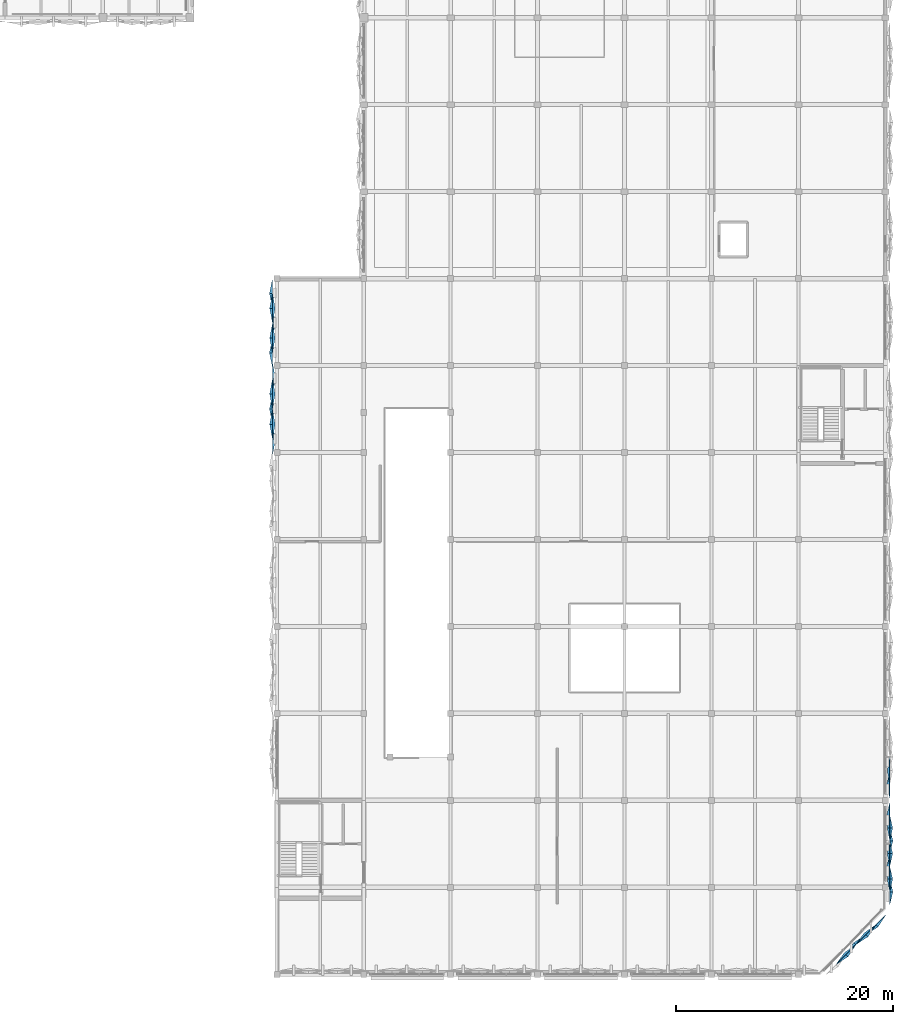
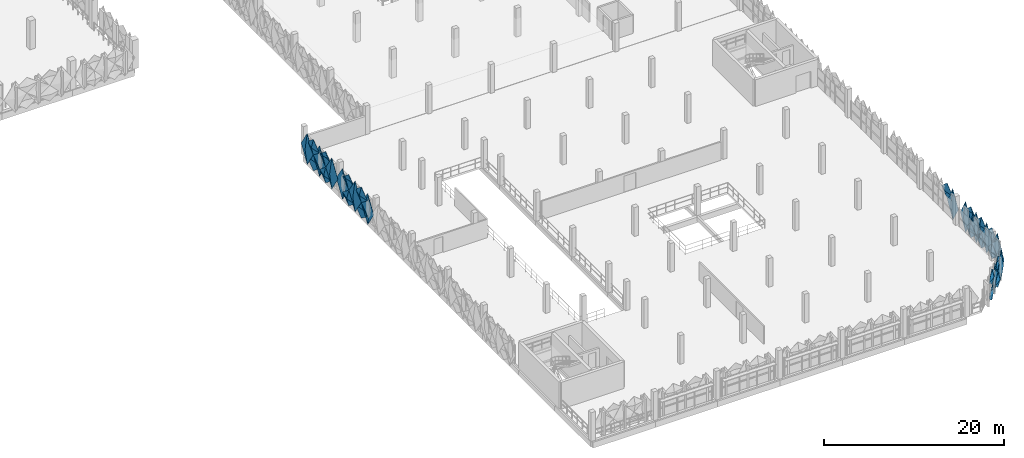
# One storey, part 60 of 83: 32 plates.
"""IFC4 building model written with IfcOpenShell, lengths in metres."""

import ifcopenshell
import ifcopenshell.guid

model = None  # the IFC model being written
_history = None  # IfcOwnerHistory: only IFC2X3 demands one
_inside = {}  # id of a spatial element -> (the spatial element, [elements in it])
_under = {}  # id of a project, library or spatial element -> (it, [spatial elements below it])
_declared = {}  # id of a project -> (the project, [libraries it declares])
_typed = {}  # id of a type object -> (the type object, [elements of that type])
_made_of = {}  # id of a material, layer set ... -> (it, [elements and type objects made of it])


def new_model(schema):
    """Start an empty IFC model of exactly this schema.

    Asked for "IFC4X3", IfcOpenShell would pick the latest addendum, in which some entities
    have other attributes; the version numbers below select the first issue.
    IFC2X3 requires an IfcOwnerHistory on every rooted entity: one is made here for all.
    """
    global model, _history
    if schema == "IFC4X3":
        model = ifcopenshell.file(schema_version=(4, 3, 0, 0))
    else:
        model = ifcopenshell.file(schema=schema)
    _inside.clear()
    _under.clear()
    _declared.clear()
    _typed.clear()
    _made_of.clear()
    _history = None
    if model.schema == "IFC2X3":
        org = make("IfcOrganization", Name="unknown")
        user = make(
            "IfcPersonAndOrganization",
            ThePerson=make("IfcPerson", FamilyName="unknown"),
            TheOrganization=org,
        )
        app = make(
            "IfcApplication",
            ApplicationDeveloper=org,
            Version="unknown",
            ApplicationFullName="unknown",
            ApplicationIdentifier="unknown",
        )
        _history = make(
            "IfcOwnerHistory",
            OwningUser=user,
            OwningApplication=app,
            ChangeAction="ADDED",
            CreationDate=0,
        )
    return model


def make(cls, **values):
    """One entity of the class cls with the attributes given. An attribute that is None is left unset."""
    return model.create_entity(
        cls, **{name: value for name, value in values.items() if value is not None}
    )


def rooted(cls, **values):
    """An entity with a GlobalId (a new one), such as an element, a storey or a relation."""
    return make(cls, GlobalId=ifcopenshell.guid.new(), OwnerHistory=_history, **values)


def si_unit(unit_type, name, prefix=None):
    """IfcSIUnit, for example si_unit("LENGTHUNIT", "METRE", prefix="MILLI")."""
    return make("IfcSIUnit", UnitType=unit_type, Prefix=prefix, Name=name)


def derived_unit(unit_type, elements):
    """IfcDerivedUnit: a product of units, each with its exponent."""
    return make(
        "IfcDerivedUnit",
        Elements=[
            make("IfcDerivedUnitElement", Unit=unit, Exponent=power)
            for unit, power in elements
        ],
        UnitType=unit_type,
    )


def assignment(units):
    """IfcUnitAssignment: the units of a project."""
    return None if units is None else make("IfcUnitAssignment", Units=units)


def point(xyz):
    """IfcCartesianPoint."""
    return None if xyz is None else make("IfcCartesianPoint", Coordinates=xyz)


def direction(xyz):
    """IfcDirection."""
    return None if xyz is None else make("IfcDirection", DirectionRatios=xyz)


def frame(location, z_axis=None, x_axis=None):
    """IfcAxis2Placement3D, a coordinate frame: its origin and axes. An axis left out is left unset."""
    return make(
        "IfcAxis2Placement3D",
        Location=point(location),
        Axis=direction(z_axis),
        RefDirection=direction(x_axis),
    )


def origin():
    """The frame at (0, 0, 0) with its axes left unset."""
    return frame((0.0, 0.0, 0.0))


def place(relative_to, where):
    """IfcLocalPlacement: puts the frame where relative to a parent placement (None: the world)."""
    return make(
        "IfcLocalPlacement", PlacementRelTo=relative_to, RelativePlacement=where
    )


def context(
    kind, dimensions, precision=None, world=None, true_north=None, identifier=None
):
    """IfcGeometricRepresentationContext, for example the 3D "Model" context."""
    return make(
        "IfcGeometricRepresentationContext",
        ContextIdentifier=identifier,
        ContextType=kind,
        CoordinateSpaceDimension=dimensions,
        Precision=precision,
        WorldCoordinateSystem=world,
        TrueNorth=true_north,
    )


def subcontext(parent, identifier, kind, view, scale=None):
    """IfcGeometricRepresentationSubContext, for example "Body" below "Model"."""
    return make(
        "IfcGeometricRepresentationSubContext",
        ContextIdentifier=identifier,
        ContextType=kind,
        ParentContext=parent,
        TargetScale=scale,
        TargetView=view,
    )


def project(units=None, contexts=None):
    """IfcProject with its units and contexts."""
    return rooted(
        "IfcProject",
        Name="project",
        RepresentationContexts=contexts,
        UnitsInContext=assignment(units),
    )


def spatial(cls, under=None, at=None, **own):
    """A site, building, storey or space (cls), placed at a placement, below another one or the project."""
    s = rooted(cls, ObjectPlacement=at, **own)
    if under is not None:
        _under.setdefault(under.id(), (under, []))[1].append(s)
    return s


def point_list(points):
    """IfcCartesianPointList2D or 3D."""
    cls = (
        "IfcCartesianPointList2D" if len(points[0]) == 2 else "IfcCartesianPointList3D"
    )
    return make(cls, CoordList=points)


def polygons(points, faces, closed=None, point_numbers=None):
    """IfcPolygonalFaceSet: a face is its outer loop, then its inner loops; points numbered from 1."""
    made = []
    for loops in faces:
        if len(loops) == 1:
            made.append(make("IfcIndexedPolygonalFace", CoordIndex=loops[0]))
        else:
            made.append(
                make(
                    "IfcIndexedPolygonalFaceWithVoids",
                    CoordIndex=loops[0],
                    InnerCoordIndices=loops[1:],
                )
            )
    return make(
        "IfcPolygonalFaceSet",
        Coordinates=point_list(points),
        Closed=closed,
        Faces=made,
        PnIndex=point_numbers,
    )


def shape(context_of_items, identifier, shape_type, items):
    """IfcShapeRepresentation: the items that make up one representation, for example the "Body"."""
    return make(
        "IfcShapeRepresentation",
        ContextOfItems=context_of_items,
        RepresentationIdentifier=identifier,
        RepresentationType=shape_type,
        Items=items,
    )


def material(Name=None, Category=None):
    """IfcMaterial."""
    return make("IfcMaterial", Name=Name, Category=Category)


def layer(
    of_material, thickness, ventilated=None, Name=None, Category=None, Priority=None
):
    """IfcMaterialLayer: one layer of a wall or slab, of a material (None: an air gap)."""
    return make(
        "IfcMaterialLayer",
        Material=of_material,
        LayerThickness=thickness,
        IsVentilated=ventilated,
        Name=Name,
        Category=Category,
        Priority=Priority,
    )


def layer_set(layers, Name=None):
    """IfcMaterialLayerSet."""
    return make("IfcMaterialLayerSet", MaterialLayers=layers, LayerSetName=Name)


def made_of(thing, what):
    """Note that an element or type object is made of a material, layer set ...; save() writes the relation."""
    if what is not None:
        _made_of.setdefault(what.id(), (what, []))[1].append(thing)
    return thing


def type_object(cls, material=None, **own):
    """A type object (cls), such as IfcWallType, which elements share."""
    return made_of(rooted(cls, **own), material)


def element(
    cls,
    number,
    at=None,
    inside=None,
    cuts=None,
    type_object=None,
    material=None,
    context=None,
    identifier="Body",
    shape_type=None,
    held_by="IfcProductDefinitionShape",
    body=None,
    shapes=None,
    **own,
):
    """One element of the class cls, such as IfcWall. Its Tag is "e" and its number.

    at: its placement. inside: the storey or other place that contains it. cuts: it is an
    opening in that element (IfcRelVoidsElement). A single representation is given by context,
    identifier, shape_type and body (its items); several are given by shapes. held_by: the class
    of the entity that holds the representations. save() writes the other relations.
    """
    e = rooted(cls, Tag="e%d" % number, ObjectPlacement=at, **own)
    if body is not None:
        shapes = [shape(context, identifier, shape_type, body)]
    if shapes is not None:
        e.Representation = make(held_by, Representations=shapes)
    if inside is not None:
        _inside.setdefault(inside.id(), (inside, []))[1].append(e)
    if cuts is not None:
        rooted(
            "IfcRelVoidsElement", RelatingBuildingElement=cuts, RelatedOpeningElement=e
        )
    if type_object is not None:
        _typed.setdefault(type_object.id(), (type_object, []))[1].append(e)
    return made_of(e, material)


def aggregate(whole, parts):
    """IfcRelAggregates: a whole, such as a stair, and the parts it consists of."""
    return rooted("IfcRelAggregates", RelatingObject=whole, RelatedObjects=parts)


def save(model, path):
    """Write the relations noted so far, then the file.

    IfcRelAggregates (storeys below a building ...), IfcRelContainedInSpatialStructure (elements
    in a storey), IfcRelDefinesByType, IfcRelAssociatesMaterial and IfcRelDeclares: one each for
    every whole, place, type object, material and project.
    """
    for whole, parts in _under.values():
        aggregate(whole, parts)
    for where, things in _inside.values():
        rooted(
            "IfcRelContainedInSpatialStructure",
            RelatedElements=things,
            RelatingStructure=where,
        )
    for kind, things in _typed.values():
        rooted("IfcRelDefinesByType", RelatedObjects=things, RelatingType=kind)
    for what, things in _made_of.values():
        rooted("IfcRelAssociatesMaterial", RelatedObjects=things, RelatingMaterial=what)
    for by, libraries in _declared.values():
        rooted("IfcRelDeclares", RelatingContext=by, RelatedDefinitions=libraries)
    model.write(path)


model = new_model("IFC4")

# Units and contexts
model_context = context("Model", 3, precision=1e-05, world=origin(), true_north=direction((0.0, 1.0)))
body_context = subcontext(model_context, "Body", "Model", "MODEL_VIEW")
ifc_project = project(units=[si_unit("LENGTHUNIT", "METRE"), si_unit("AREAUNIT", "SQUARE_METRE"), si_unit("VOLUMEUNIT", "CUBIC_METRE"), si_unit("PLANEANGLEUNIT", "RADIAN"), si_unit("MASSUNIT", "GRAM", prefix="KILO"), si_unit("THERMODYNAMICTEMPERATUREUNIT", "KELVIN"), derived_unit("THERMALTRANSMITTANCEUNIT", [(si_unit("POWERUNIT", "WATT"), 1), (si_unit("AREAUNIT", "SQUARE_METRE"), -1), (si_unit("THERMODYNAMICTEMPERATUREUNIT", "KELVIN"), -1)])], contexts=[model_context])

# Site, building, storey
site_placement = place(None, origin())
site = spatial("IfcSite", under=ifc_project, at=site_placement, CompositionType="ELEMENT")
building_placement = place(site_placement, origin())
building = spatial("IfcBuilding", under=site, at=building_placement, Name="Haiyu Intermodal Mobility Hub", CompositionType="ELEMENT")
storey_placement = place(building_placement, frame((0.0, 0.0, 13.39990234375)))
storey = spatial("IfcBuildingStorey", under=building, at=storey_placement, Name="L03", CompositionType="ELEMENT", Elevation=13.39990234375)

# Plates
ifc_material = material(Name="Anodised aluminium 6063-T6", Category="aluminium")
ifc_layer_1 = layer(ifc_material, 0.01806640625)
ifc_layer_set_1 = layer_set([ifc_layer_1], Name="Anodised aluminium 6063-T6")
plate_type_1 = type_object("IfcPlateType", Name="PLT-FC01", PredefinedType="USERDEFINED", material=ifc_layer_set_1)
plate_1_placement = place(storey_placement, origin())
element("IfcPlate", 1, at=plate_1_placement, inside=storey, type_object=plate_type_1, Name="PLT-PYR-1474", ObjectType="FACADE CASSETTE", PredefinedType="USERDEFINED", context=body_context, shape_type="Tessellation", body=[
    polygons([(206.365966796875, 17.800048828125, 1.6201171875), (207.26904296875, 18.702880859375, 2.670166015625), (206.365966796875, 17.800048828125, 3.72021484375), (205.464111328125, 16.89794921875, 2.670166015625), (206.550048828125, 17.616943359375, 2.670166015625), (206.35107421875, 17.81591796875, 1.6201171875), (207.2529296875, 18.718994140625, 2.670166015625), (206.35107421875, 17.81591796875, 3.72021484375), (205.447998046875, 16.9140625, 2.670166015625), (206.533935546875, 17.632080078125, 2.670166015625)], [[[1, 2, 5]], [[2, 3, 5]], [[3, 4, 5]], [[4, 1, 5]], [[7, 6, 10]], [[8, 7, 10]], [[9, 8, 10]], [[6, 9, 10]], [[1, 6, 7, 2]], [[2, 7, 8, 3]], [[3, 8, 9, 4]], [[4, 9, 6, 1]]], closed=True),
])
plate_2_placement = place(storey_placement, origin())
element("IfcPlate", 2, at=plate_2_placement, inside=storey, type_object=plate_type_1, Name="PLT-PYR-1784", ObjectType="FACADE CASSETTE", PredefinedType="USERDEFINED", context=body_context, shape_type="Tessellation", body=[
    polygons([(210.39990234375, 24.75, 1.6201171875), (210.39990234375, 25.905029296875, 2.670166015625), (210.39990234375, 24.75, 3.72021484375), (210.39990234375, 23.594970703125, 2.670166015625), (210.659912109375, 24.75, 2.670166015625), (210.3779296875, 24.75, 1.6201171875), (210.3779296875, 25.905029296875, 2.670166015625), (210.3779296875, 24.75, 3.72021484375), (210.3779296875, 23.594970703125, 2.670166015625), (210.637939453125, 24.75, 2.670166015625)], [[[1, 2, 5]], [[2, 3, 5]], [[3, 4, 5]], [[4, 1, 5]], [[7, 6, 10]], [[8, 7, 10]], [[9, 8, 10]], [[6, 9, 10]], [[1, 6, 7, 2]], [[2, 7, 8, 3]], [[3, 8, 9, 4]], [[4, 9, 6, 1]]], closed=True),
])
plate_3_placement = place(storey_placement, origin())
element("IfcPlate", 3, at=plate_3_placement, inside=storey, type_object=plate_type_1, Name="PLT-PYR-1790", ObjectType="FACADE CASSETTE", PredefinedType="USERDEFINED", context=body_context, shape_type="Tessellation", body=[
    polygons([(210.39990234375, 29.449951171875, 1.6201171875), (210.39990234375, 30.60498046875, 2.670166015625), (210.39990234375, 29.449951171875, 3.72021484375), (210.39990234375, 28.294921875, 2.670166015625), (210.659912109375, 29.449951171875, 2.670166015625), (210.3779296875, 29.449951171875, 1.6201171875), (210.3779296875, 30.60498046875, 2.670166015625), (210.3779296875, 29.449951171875, 3.72021484375), (210.3779296875, 28.294921875, 2.670166015625), (210.637939453125, 29.449951171875, 2.670166015625)], [[[1, 2, 5]], [[2, 3, 5]], [[3, 4, 5]], [[4, 1, 5]], [[7, 6, 10]], [[8, 7, 10]], [[9, 8, 10]], [[6, 9, 10]], [[1, 6, 7, 2]], [[2, 7, 8, 3]], [[3, 8, 9, 4]], [[4, 9, 6, 1]]], closed=True),
])
plate_4_placement = place(storey_placement, origin())
element("IfcPlate", 4, at=plate_4_placement, inside=storey, type_object=plate_type_1, Name="PLT-PYR-1855", ObjectType="FACADE CASSETTE", PredefinedType="USERDEFINED", context=body_context, shape_type="Tessellation", body=[
    polygons([(153.60009765625, 68.0, -0.510009765625), (153.60009765625, 66.6201171875, 1.60009765625), (153.60009765625, 68.0, 3.710205078125), (153.60009765625, 69.3798828125, 1.60009765625), (153.320068359375, 68.0, 1.60009765625), (153.6220703125, 68.0, -0.510009765625), (153.6220703125, 66.6201171875, 1.60009765625), (153.6220703125, 68.0, 3.710205078125), (153.6220703125, 69.3798828125, 1.60009765625), (153.342041015625, 68.0, 1.60009765625)], [[[1, 2, 5]], [[2, 3, 5]], [[3, 4, 5]], [[4, 1, 5]], [[7, 6, 10]], [[8, 7, 10]], [[9, 8, 10]], [[6, 9, 10]], [[1, 6, 7, 2]], [[2, 7, 8, 3]], [[3, 8, 9, 4]], [[4, 9, 6, 1]]], closed=True),
])
plate_5_placement = place(storey_placement, origin())
element("IfcPlate", 5, at=plate_5_placement, inside=storey, type_object=plate_type_1, Name="PLT-PYR-1857", ObjectType="FACADE CASSETTE", PredefinedType="USERDEFINED", context=body_context, shape_type="Tessellation", body=[
    polygons([(153.60009765625, 66.60009765625, 1.6201171875), (153.60009765625, 65.219970703125, 2.670166015625), (153.60009765625, 66.60009765625, 3.72021484375), (153.60009765625, 67.97998046875, 2.670166015625), (153.340087890625, 66.60009765625, 2.670166015625), (153.6220703125, 66.60009765625, 1.6201171875), (153.6220703125, 65.219970703125, 2.670166015625), (153.6220703125, 66.60009765625, 3.72021484375), (153.6220703125, 67.97998046875, 2.670166015625), (153.362060546875, 66.60009765625, 2.670166015625)], [[[1, 2, 5]], [[2, 3, 5]], [[3, 4, 5]], [[4, 1, 5]], [[7, 6, 10]], [[8, 7, 10]], [[9, 8, 10]], [[6, 9, 10]], [[1, 6, 7, 2]], [[2, 7, 8, 3]], [[3, 8, 9, 4]], [[4, 9, 6, 1]]], closed=True),
])
plate_6_placement = place(storey_placement, origin())
element("IfcPlate", 6, at=plate_6_placement, inside=storey, type_object=plate_type_1, Name="PLT-PYR-1861", ObjectType="FACADE CASSETTE", PredefinedType="USERDEFINED", context=body_context, shape_type="Tessellation", body=[
    polygons([(153.60009765625, 77.26708984375, 1.6201171875), (153.60009765625, 75.919921875, 2.670166015625), (153.60009765625, 77.26708984375, 3.72021484375), (153.60009765625, 78.613037109375, 2.670166015625), (153.340087890625, 77.26708984375, 2.670166015625), (153.6220703125, 77.26708984375, 1.6201171875), (153.6220703125, 75.919921875, 2.670166015625), (153.6220703125, 77.26708984375, 3.72021484375), (153.6220703125, 78.613037109375, 2.670166015625), (153.362060546875, 77.26708984375, 2.670166015625)], [[[1, 2, 5]], [[2, 3, 5]], [[3, 4, 5]], [[4, 1, 5]], [[7, 6, 10]], [[8, 7, 10]], [[9, 8, 10]], [[6, 9, 10]], [[1, 6, 7, 2]], [[2, 7, 8, 3]], [[3, 8, 9, 4]], [[4, 9, 6, 1]]], closed=True),
])
ifc_layer_2 = layer(ifc_material, 0.02001953125)
ifc_layer_set_2 = layer_set([ifc_layer_2], Name="Anodised aluminium 6063-T6")
plate_type_2 = type_object("IfcPlateType", Name="PLT-FC02", PredefinedType="USERDEFINED", material=ifc_layer_set_2)
plate_7_placement = place(storey_placement, origin())
element("IfcPlate", 7, at=plate_7_placement, inside=storey, type_object=plate_type_2, Name="PLT-PYR-1475", ObjectType="FACADE CASSETTE", PredefinedType="USERDEFINED", context=body_context, shape_type="Tessellation", body=[
    polygons([(207.282958984375, 18.717041015625, -0.510009765625), (208.18505859375, 19.6201171875, 1.60009765625), (207.282958984375, 18.717041015625, 3.710205078125), (206.3798828125, 17.81494140625, 1.60009765625), (207.09912109375, 18.90087890625, 1.60009765625), (207.26708984375, 18.73291015625, -0.510009765625), (208.169921875, 19.635009765625, 1.60009765625), (207.26708984375, 18.73291015625, 3.710205078125), (206.364990234375, 17.830078125, 1.60009765625), (207.0830078125, 18.9169921875, 1.60009765625)], [[[1, 2, 5]], [[2, 3, 5]], [[3, 4, 5]], [[4, 1, 5]], [[7, 6, 10]], [[8, 7, 10]], [[9, 8, 10]], [[6, 9, 10]], [[1, 6, 7, 2]], [[2, 7, 8, 3]], [[3, 8, 9, 4]], [[4, 9, 6, 1]]], closed=True),
])
plate_8_placement = place(storey_placement, origin())
element("IfcPlate", 8, at=plate_8_placement, inside=storey, type_object=plate_type_2, Name="PLT-PYR-1477", ObjectType="FACADE CASSETTE", PredefinedType="USERDEFINED", context=body_context, shape_type="Tessellation", body=[
    polygons([(208.199951171875, 19.634033203125, 1.6201171875), (209.10205078125, 20.535888671875, 2.670166015625), (208.199951171875, 19.634033203125, 3.72021484375), (207.297119140625, 18.73095703125, 2.670166015625), (208.0439453125, 19.7890625, 2.670166015625), (208.18408203125, 19.64892578125, 1.6201171875), (209.0859375, 20.552001953125, 2.670166015625), (208.18408203125, 19.64892578125, 3.72021484375), (207.281005859375, 18.7470703125, 2.670166015625), (208.028076171875, 19.804931640625, 2.670166015625)], [[[1, 2, 5]], [[2, 3, 5]], [[3, 4, 5]], [[4, 1, 5]], [[7, 6, 10]], [[8, 7, 10]], [[9, 8, 10]], [[6, 9, 10]], [[1, 6, 7, 2]], [[2, 7, 8, 3]], [[3, 8, 9, 4]], [[4, 9, 6, 1]]], closed=True),
])
plate_9_placement = place(storey_placement, origin())
element("IfcPlate", 9, at=plate_9_placement, inside=storey, type_object=plate_type_2, Name="PLT-PYR-1785", ObjectType="FACADE CASSETTE", PredefinedType="USERDEFINED", context=body_context, shape_type="Tessellation", body=[
    polygons([(210.39990234375, 25.925048828125, -0.510009765625), (210.39990234375, 27.080078125, 1.60009765625), (210.39990234375, 25.925048828125, 3.710205078125), (210.39990234375, 24.77001953125, 1.60009765625), (210.139892578125, 25.925048828125, 1.60009765625), (210.3779296875, 25.925048828125, -0.510009765625), (210.3779296875, 27.080078125, 1.60009765625), (210.3779296875, 25.925048828125, 3.710205078125), (210.3779296875, 24.77001953125, 1.60009765625), (210.117919921875, 25.925048828125, 1.60009765625)], [[[1, 2, 5]], [[2, 3, 5]], [[3, 4, 5]], [[4, 1, 5]], [[7, 6, 10]], [[8, 7, 10]], [[9, 8, 10]], [[6, 9, 10]], [[1, 6, 7, 2]], [[2, 7, 8, 3]], [[3, 8, 9, 4]], [[4, 9, 6, 1]]], closed=True),
])
plate_10_placement = place(storey_placement, origin())
element("IfcPlate", 10, at=plate_10_placement, inside=storey, type_object=plate_type_2, Name="PLT-PYR-1787", ObjectType="FACADE CASSETTE", PredefinedType="USERDEFINED", context=body_context, shape_type="Tessellation", body=[
    polygons([(210.39990234375, 27.10009765625, 1.6201171875), (210.39990234375, 28.2548828125, 2.670166015625), (210.39990234375, 27.10009765625, 3.72021484375), (210.39990234375, 25.945068359375, 2.670166015625), (210.179931640625, 27.10009765625, 2.670166015625), (210.3779296875, 27.10009765625, 1.6201171875), (210.3779296875, 28.2548828125, 2.670166015625), (210.3779296875, 27.10009765625, 3.72021484375), (210.3779296875, 25.945068359375, 2.670166015625), (210.157958984375, 27.10009765625, 2.670166015625)], [[[1, 2, 5]], [[2, 3, 5]], [[3, 4, 5]], [[4, 1, 5]], [[7, 6, 10]], [[8, 7, 10]], [[9, 8, 10]], [[6, 9, 10]], [[1, 6, 7, 2]], [[2, 7, 8, 3]], [[3, 8, 9, 4]], [[4, 9, 6, 1]]], closed=True),
])
plate_11_placement = place(storey_placement, origin())
element("IfcPlate", 11, at=plate_11_placement, inside=storey, type_object=plate_type_2, Name="PLT-PYR-1794", ObjectType="FACADE CASSETTE", PredefinedType="USERDEFINED", context=body_context, shape_type="Tessellation", body=[
    polygons([(210.39990234375, 34.73291015625, 1.6201171875), (210.39990234375, 35.97998046875, 2.670166015625), (210.39990234375, 34.73291015625, 3.72021484375), (210.39990234375, 33.487060546875, 2.670166015625), (210.179931640625, 34.73291015625, 2.670166015625), (210.3779296875, 34.73291015625, 1.6201171875), (210.3779296875, 35.97998046875, 2.670166015625), (210.3779296875, 34.73291015625, 3.72021484375), (210.3779296875, 33.487060546875, 2.670166015625), (210.157958984375, 34.73291015625, 2.670166015625)], [[[1, 2, 5]], [[2, 3, 5]], [[3, 4, 5]], [[4, 1, 5]], [[7, 6, 10]], [[8, 7, 10]], [[9, 8, 10]], [[6, 9, 10]], [[1, 6, 7, 2]], [[2, 7, 8, 3]], [[3, 8, 9, 4]], [[4, 9, 6, 1]]], closed=True),
])
plate_12_placement = place(storey_placement, origin())
element("IfcPlate", 12, at=plate_12_placement, inside=storey, type_object=plate_type_2, Name="PLT-PYR-1854", ObjectType="FACADE CASSETTE", PredefinedType="USERDEFINED", context=body_context, shape_type="Tessellation", body=[
    polygons([(153.60009765625, 69.39990234375, 1.6201171875), (153.60009765625, 68.02001953125, 2.670166015625), (153.60009765625, 69.39990234375, 3.72021484375), (153.60009765625, 70.780029296875, 2.670166015625), (153.820068359375, 69.39990234375, 2.670166015625), (153.6220703125, 69.39990234375, 1.6201171875), (153.6220703125, 68.02001953125, 2.670166015625), (153.6220703125, 69.39990234375, 3.72021484375), (153.6220703125, 70.780029296875, 2.670166015625), (153.842041015625, 69.39990234375, 2.670166015625)], [[[1, 2, 5]], [[2, 3, 5]], [[3, 4, 5]], [[4, 1, 5]], [[7, 6, 10]], [[8, 7, 10]], [[9, 8, 10]], [[6, 9, 10]], [[1, 6, 7, 2]], [[2, 7, 8, 3]], [[3, 8, 9, 4]], [[4, 9, 6, 1]]], closed=True),
])
plate_13_placement = place(storey_placement, origin())
element("IfcPlate", 13, at=plate_13_placement, inside=storey, type_object=plate_type_2, Name="PLT-PYR-1862", ObjectType="FACADE CASSETTE", PredefinedType="USERDEFINED", context=body_context, shape_type="Tessellation", body=[
    polygons([(153.60009765625, 75.89990234375, -0.510009765625), (153.60009765625, 74.552978515625, 1.60009765625), (153.60009765625, 75.89990234375, 3.710205078125), (153.60009765625, 77.2470703125, 1.60009765625), (153.860107421875, 75.89990234375, 1.60009765625), (153.6220703125, 75.89990234375, -0.510009765625), (153.6220703125, 74.552978515625, 1.60009765625), (153.6220703125, 75.89990234375, 3.710205078125), (153.6220703125, 77.2470703125, 1.60009765625), (153.882080078125, 75.89990234375, 1.60009765625)], [[[1, 2, 5]], [[2, 3, 5]], [[3, 4, 5]], [[4, 1, 5]], [[7, 6, 10]], [[8, 7, 10]], [[9, 8, 10]], [[6, 9, 10]], [[1, 6, 7, 2]], [[2, 7, 8, 3]], [[3, 8, 9, 4]], [[4, 9, 6, 1]]], closed=True),
])
plate_14_placement = place(storey_placement, origin())
element("IfcPlate", 14, at=plate_14_placement, inside=storey, type_object=plate_type_2, Name="PLT-PYR-1864", ObjectType="FACADE CASSETTE", PredefinedType="USERDEFINED", context=body_context, shape_type="Tessellation", body=[
    polygons([(153.60009765625, 74.532958984375, 1.6201171875), (153.60009765625, 73.18701171875, 2.670166015625), (153.60009765625, 74.532958984375, 3.72021484375), (153.60009765625, 75.8798828125, 2.670166015625), (153.820068359375, 74.532958984375, 2.670166015625), (153.6220703125, 74.532958984375, 1.6201171875), (153.6220703125, 73.18701171875, 2.670166015625), (153.6220703125, 74.532958984375, 3.72021484375), (153.6220703125, 75.8798828125, 2.670166015625), (153.842041015625, 74.532958984375, 2.670166015625)], [[[1, 2, 5]], [[2, 3, 5]], [[3, 4, 5]], [[4, 1, 5]], [[7, 6, 10]], [[8, 7, 10]], [[9, 8, 10]], [[6, 9, 10]], [[1, 6, 7, 2]], [[2, 7, 8, 3]], [[3, 8, 9, 4]], [[4, 9, 6, 1]]], closed=True),
])
ifc_layer_3 = layer(ifc_material, 0.01806640625)
ifc_layer_set_3 = layer_set([ifc_layer_3], Name="Anodised aluminium 6063-T6")
plate_type_3 = type_object("IfcPlateType", Name="PLT-FC03", PredefinedType="USERDEFINED", material=ifc_layer_set_3)
plate_15_placement = place(storey_placement, origin())
element("IfcPlate", 15, at=plate_15_placement, inside=storey, type_object=plate_type_3, Name="PLT-PYR-1478", ObjectType="FACADE CASSETTE", PredefinedType="USERDEFINED", context=body_context, shape_type="Tessellation", body=[
    polygons([(209.115966796875, 20.550048828125, -0.510009765625), (210.01904296875, 21.452880859375, 1.60009765625), (209.115966796875, 20.550048828125, 3.710205078125), (208.214111328125, 19.64794921875, 1.60009765625), (209.31396484375, 20.35302734375, 1.60009765625), (209.10107421875, 20.56591796875, -0.510009765625), (210.0029296875, 21.468994140625, 1.60009765625), (209.10107421875, 20.56591796875, 3.710205078125), (208.197998046875, 19.6640625, 1.60009765625), (209.299072265625, 20.367919921875, 1.60009765625)], [[[1, 2, 5]], [[2, 3, 5]], [[3, 4, 5]], [[4, 1, 5]], [[7, 6, 10]], [[8, 7, 10]], [[9, 8, 10]], [[6, 9, 10]], [[1, 6, 7, 2]], [[2, 7, 8, 3]], [[3, 8, 9, 4]], [[4, 9, 6, 1]]], closed=True),
])
plate_16_placement = place(storey_placement, origin())
element("IfcPlate", 16, at=plate_16_placement, inside=storey, type_object=plate_type_3, Name="PLT-PYR-1788", ObjectType="FACADE CASSETTE", PredefinedType="USERDEFINED", context=body_context, shape_type="Tessellation", body=[
    polygons([(210.39990234375, 28.27490234375, -0.510009765625), (210.39990234375, 29.429931640625, 1.60009765625), (210.39990234375, 28.27490234375, 3.710205078125), (210.39990234375, 27.1201171875, 1.60009765625), (210.679931640625, 28.27490234375, 1.60009765625), (210.3779296875, 28.27490234375, -0.510009765625), (210.3779296875, 29.429931640625, 1.60009765625), (210.3779296875, 28.27490234375, 3.710205078125), (210.3779296875, 27.1201171875, 1.60009765625), (210.657958984375, 28.27490234375, 1.60009765625)], [[[1, 2, 5]], [[2, 3, 5]], [[3, 4, 5]], [[4, 1, 5]], [[7, 6, 10]], [[8, 7, 10]], [[9, 8, 10]], [[6, 9, 10]], [[1, 6, 7, 2]], [[2, 7, 8, 3]], [[3, 8, 9, 4]], [[4, 9, 6, 1]]], closed=True),
])
plate_17_placement = place(storey_placement, origin())
element("IfcPlate", 17, at=plate_17_placement, inside=storey, type_object=plate_type_3, Name="PLT-PYR-1865", ObjectType="FACADE CASSETTE", PredefinedType="USERDEFINED", context=body_context, shape_type="Tessellation", body=[
    polygons([(153.60009765625, 73.1669921875, -0.510009765625), (153.60009765625, 71.820068359375, 1.60009765625), (153.60009765625, 73.1669921875, 3.710205078125), (153.60009765625, 74.512939453125, 1.60009765625), (153.320068359375, 73.1669921875, 1.60009765625), (153.6220703125, 73.1669921875, -0.510009765625), (153.6220703125, 71.820068359375, 1.60009765625), (153.6220703125, 73.1669921875, 3.710205078125), (153.6220703125, 74.512939453125, 1.60009765625), (153.342041015625, 73.1669921875, 1.60009765625)], [[[1, 2, 5]], [[2, 3, 5]], [[3, 4, 5]], [[4, 1, 5]], [[7, 6, 10]], [[8, 7, 10]], [[9, 8, 10]], [[6, 9, 10]], [[1, 6, 7, 2]], [[2, 7, 8, 3]], [[3, 8, 9, 4]], [[4, 9, 6, 1]]], closed=True),
])
ifc_layer_4 = layer(ifc_material, 0.02001953125)
ifc_layer_set_4 = layer_set([ifc_layer_4], Name="Anodised aluminium 6063-T6")
plate_type_4 = type_object("IfcPlateType", Name="PLT-FC04", PredefinedType="USERDEFINED", material=ifc_layer_set_4)
plate_18_placement = place(storey_placement, origin())
element("IfcPlate", 18, at=plate_18_placement, inside=storey, type_object=plate_type_4, Name="PLT-PYR-1858", ObjectType="FACADE CASSETTE", PredefinedType="USERDEFINED", context=body_context, shape_type="Tessellation", body=[
    polygons([(153.60009765625, 65.199951171875, -0.510009765625), (153.60009765625, 63.820068359375, 1.60009765625), (153.60009765625, 65.199951171875, 3.710205078125), (153.60009765625, 66.580078125, 1.60009765625), (153.860107421875, 65.199951171875, 1.60009765625), (153.6220703125, 65.199951171875, -0.510009765625), (153.6220703125, 63.820068359375, 1.60009765625), (153.6220703125, 65.199951171875, 3.710205078125), (153.6220703125, 66.580078125, 1.60009765625), (153.882080078125, 65.199951171875, 1.60009765625)], [[[1, 2, 5]], [[2, 3, 5]], [[3, 4, 5]], [[4, 1, 5]], [[7, 6, 10]], [[8, 7, 10]], [[9, 8, 10]], [[6, 9, 10]], [[1, 6, 7, 2]], [[2, 7, 8, 3]], [[3, 8, 9, 4]], [[4, 9, 6, 1]]], closed=True),
])
ifc_layer_5 = layer(ifc_material, 0.02001953125)
ifc_layer_set_5 = layer_set([ifc_layer_5], Name="Anodised aluminium 6063-T6")
plate_type_5 = type_object("IfcPlateType", Name="PLT-FC06", PredefinedType="USERDEFINED", material=ifc_layer_set_5)
plate_19_placement = place(storey_placement, origin())
element("IfcPlate", 19, at=plate_19_placement, inside=storey, type_object=plate_type_5, Name="PLT-PYR-1791", ObjectType="FACADE CASSETTE", PredefinedType="USERDEFINED", context=body_context, shape_type="Tessellation", body=[
    polygons([(210.39990234375, 30.625, -0.510009765625), (210.39990234375, 31.780029296875, 1.60009765625), (210.39990234375, 30.625, 3.710205078125), (210.39990234375, 29.469970703125, 1.60009765625), (210.139892578125, 30.625, 1.60009765625), (210.3779296875, 30.625, -0.510009765625), (210.3779296875, 31.780029296875, 1.60009765625), (210.3779296875, 30.625, 3.710205078125), (210.3779296875, 29.469970703125, 1.60009765625), (210.117919921875, 30.625, 1.60009765625)], [[[1, 2, 5]], [[2, 3, 5]], [[3, 4, 5]], [[4, 1, 5]], [[7, 6, 10]], [[8, 7, 10]], [[9, 8, 10]], [[6, 9, 10]], [[1, 6, 7, 2]], [[2, 7, 8, 3]], [[3, 8, 9, 4]], [[4, 9, 6, 1]]], closed=True),
])
ifc_layer_6 = layer(ifc_material, 0.02197265625)
ifc_layer_set_6 = layer_set([ifc_layer_6], Name="Anodised aluminium 6063-T6")
plate_type_6 = type_object("IfcPlateType", Name="PLT-FC07", PredefinedType="USERDEFINED", material=ifc_layer_set_6)
plate_20_placement = place(storey_placement, origin())
element("IfcPlate", 20, at=plate_20_placement, inside=storey, type_object=plate_type_6, Name="PLT-PYR-1476", ObjectType="FACADE CASSETTE", PredefinedType="USERDEFINED", context=body_context, shape_type="Tessellation", body=[
    polygons([(208.199951171875, 19.634033203125, -0.52001953125), (209.10205078125, 20.535888671875, 0.530029296875), (208.199951171875, 19.634033203125, 1.580078125), (207.297119140625, 18.73095703125, 0.530029296875), (208.383056640625, 19.449951171875, 0.530029296875), (208.18408203125, 19.64892578125, -0.52001953125), (209.0859375, 20.552001953125, 0.530029296875), (208.18408203125, 19.64892578125, 1.580078125), (207.281005859375, 18.7470703125, 0.530029296875), (208.367919921875, 19.466064453125, 0.530029296875)], [[[1, 2, 5]], [[2, 3, 5]], [[3, 4, 5]], [[4, 1, 5]], [[7, 6, 10]], [[8, 7, 10]], [[9, 8, 10]], [[6, 9, 10]], [[1, 6, 7, 2]], [[2, 7, 8, 3]], [[3, 8, 9, 4]], [[4, 9, 6, 1]]], closed=True),
])
plate_21_placement = place(storey_placement, origin())
element("IfcPlate", 21, at=plate_21_placement, inside=storey, type_object=plate_type_6, Name="PLT-PYR-1782", ObjectType="FACADE CASSETTE", PredefinedType="USERDEFINED", context=body_context, shape_type="Tessellation", body=[
    polygons([(210.39990234375, 23.574951171875, -0.510009765625), (210.39990234375, 24.72998046875, 1.60009765625), (210.39990234375, 23.574951171875, 3.710205078125), (210.39990234375, 22.419921875, 1.60009765625), (210.679931640625, 23.574951171875, 1.60009765625), (210.3779296875, 23.574951171875, -0.510009765625), (210.3779296875, 24.72998046875, 1.60009765625), (210.3779296875, 23.574951171875, 3.710205078125), (210.3779296875, 22.419921875, 1.60009765625), (210.657958984375, 23.574951171875, 1.60009765625)], [[[1, 2, 5]], [[2, 3, 5]], [[3, 4, 5]], [[4, 1, 5]], [[7, 6, 10]], [[8, 7, 10]], [[9, 8, 10]], [[6, 9, 10]], [[1, 6, 7, 2]], [[2, 7, 8, 3]], [[3, 8, 9, 4]], [[4, 9, 6, 1]]], closed=True),
])
plate_22_placement = place(storey_placement, origin())
element("IfcPlate", 22, at=plate_22_placement, inside=storey, type_object=plate_type_6, Name="PLT-PYR-1786", ObjectType="FACADE CASSETTE", PredefinedType="USERDEFINED", context=body_context, shape_type="Tessellation", body=[
    polygons([(210.39990234375, 27.10009765625, -0.52001953125), (210.39990234375, 28.2548828125, 0.530029296875), (210.39990234375, 27.10009765625, 1.580078125), (210.39990234375, 25.945068359375, 0.530029296875), (210.659912109375, 27.10009765625, 0.530029296875), (210.3779296875, 27.10009765625, -0.52001953125), (210.3779296875, 28.2548828125, 0.530029296875), (210.3779296875, 27.10009765625, 1.580078125), (210.3779296875, 25.945068359375, 0.530029296875), (210.637939453125, 27.10009765625, 0.530029296875)], [[[1, 2, 5]], [[2, 3, 5]], [[3, 4, 5]], [[4, 1, 5]], [[7, 6, 10]], [[8, 7, 10]], [[9, 8, 10]], [[6, 9, 10]], [[1, 6, 7, 2]], [[2, 7, 8, 3]], [[3, 8, 9, 4]], [[4, 9, 6, 1]]], closed=True),
])
plate_23_placement = place(storey_placement, origin())
element("IfcPlate", 23, at=plate_23_placement, inside=storey, type_object=plate_type_6, Name="PLT-PYR-1853", ObjectType="FACADE CASSETTE", PredefinedType="USERDEFINED", context=body_context, shape_type="Tessellation", body=[
    polygons([(153.60009765625, 69.39990234375, -0.52001953125), (153.60009765625, 68.02001953125, 0.530029296875), (153.60009765625, 69.39990234375, 1.580078125), (153.60009765625, 70.780029296875, 0.530029296875), (153.340087890625, 69.39990234375, 0.530029296875), (153.6220703125, 69.39990234375, -0.52001953125), (153.6220703125, 68.02001953125, 0.530029296875), (153.6220703125, 69.39990234375, 1.580078125), (153.6220703125, 70.780029296875, 0.530029296875), (153.362060546875, 69.39990234375, 0.530029296875)], [[[1, 2, 5]], [[2, 3, 5]], [[3, 4, 5]], [[4, 1, 5]], [[7, 6, 10]], [[8, 7, 10]], [[9, 8, 10]], [[6, 9, 10]], [[1, 6, 7, 2]], [[2, 7, 8, 3]], [[3, 8, 9, 4]], [[4, 9, 6, 1]]], closed=True),
])
plate_24_placement = place(storey_placement, origin())
element("IfcPlate", 24, at=plate_24_placement, inside=storey, type_object=plate_type_6, Name="PLT-PYR-1859", ObjectType="FACADE CASSETTE", PredefinedType="USERDEFINED", context=body_context, shape_type="Tessellation", body=[
    polygons([(153.60009765625, 78.633056640625, -0.510009765625), (153.60009765625, 77.287109375, 1.60009765625), (153.60009765625, 78.633056640625, 3.710205078125), (153.60009765625, 79.97998046875, 1.60009765625), (153.320068359375, 78.633056640625, 1.60009765625), (153.6220703125, 78.633056640625, -0.510009765625), (153.6220703125, 77.287109375, 1.60009765625), (153.6220703125, 78.633056640625, 3.710205078125), (153.6220703125, 79.97998046875, 1.60009765625), (153.342041015625, 78.633056640625, 1.60009765625)], [[[1, 2, 5]], [[2, 3, 5]], [[3, 4, 5]], [[4, 1, 5]], [[7, 6, 10]], [[8, 7, 10]], [[9, 8, 10]], [[6, 9, 10]], [[1, 6, 7, 2]], [[2, 7, 8, 3]], [[3, 8, 9, 4]], [[4, 9, 6, 1]]], closed=True),
])
plate_25_placement = place(storey_placement, origin())
element("IfcPlate", 25, at=plate_25_placement, inside=storey, type_object=plate_type_6, Name="PLT-PYR-1863", ObjectType="FACADE CASSETTE", PredefinedType="USERDEFINED", context=body_context, shape_type="Tessellation", body=[
    polygons([(153.60009765625, 74.532958984375, -0.52001953125), (153.60009765625, 73.18701171875, 0.530029296875), (153.60009765625, 74.532958984375, 1.580078125), (153.60009765625, 75.8798828125, 0.530029296875), (153.340087890625, 74.532958984375, 0.530029296875), (153.6220703125, 74.532958984375, -0.52001953125), (153.6220703125, 73.18701171875, 0.530029296875), (153.6220703125, 74.532958984375, 1.580078125), (153.6220703125, 75.8798828125, 0.530029296875), (153.362060546875, 74.532958984375, 0.530029296875)], [[[1, 2, 5]], [[2, 3, 5]], [[3, 4, 5]], [[4, 1, 5]], [[7, 6, 10]], [[8, 7, 10]], [[9, 8, 10]], [[6, 9, 10]], [[1, 6, 7, 2]], [[2, 7, 8, 3]], [[3, 8, 9, 4]], [[4, 9, 6, 1]]], closed=True),
])
ifc_layer_7 = layer(ifc_material, 0.02392578125)
ifc_layer_set_7 = layer_set([ifc_layer_7], Name="Anodised aluminium 6063-T6")
plate_type_7 = type_object("IfcPlateType", Name="PLT-FC08", PredefinedType="USERDEFINED", material=ifc_layer_set_7)
plate_26_placement = place(storey_placement, origin())
element("IfcPlate", 26, at=plate_26_placement, inside=storey, type_object=plate_type_7, Name="PLT-PYR-1473", ObjectType="FACADE CASSETTE", PredefinedType="USERDEFINED", context=body_context, shape_type="Tessellation", body=[
    polygons([(206.365966796875, 17.800048828125, -0.52001953125), (207.26904296875, 18.702880859375, 0.530029296875), (206.365966796875, 17.800048828125, 1.580078125), (205.464111328125, 16.89794921875, 0.530029296875), (206.2109375, 17.9560546875, 0.530029296875), (206.35107421875, 17.81591796875, -0.52001953125), (207.2529296875, 18.718994140625, 0.530029296875), (206.35107421875, 17.81591796875, 1.580078125), (205.447998046875, 16.9140625, 0.530029296875), (206.195068359375, 17.971923828125, 0.530029296875)], [[[1, 2, 5]], [[2, 3, 5]], [[3, 4, 5]], [[4, 1, 5]], [[7, 6, 10]], [[8, 7, 10]], [[9, 8, 10]], [[6, 9, 10]], [[1, 6, 7, 2]], [[2, 7, 8, 3]], [[3, 8, 9, 4]], [[4, 9, 6, 1]]], closed=True),
])
plate_27_placement = place(storey_placement, origin())
element("IfcPlate", 27, at=plate_27_placement, inside=storey, type_object=plate_type_7, Name="PLT-PYR-1783", ObjectType="FACADE CASSETTE", PredefinedType="USERDEFINED", context=body_context, shape_type="Tessellation", body=[
    polygons([(210.39990234375, 24.75, -0.52001953125), (210.39990234375, 25.905029296875, 0.530029296875), (210.39990234375, 24.75, 1.580078125), (210.39990234375, 23.594970703125, 0.530029296875), (210.179931640625, 24.75, 0.530029296875), (210.3779296875, 24.75, -0.52001953125), (210.3779296875, 25.905029296875, 0.530029296875), (210.3779296875, 24.75, 1.580078125), (210.3779296875, 23.594970703125, 0.530029296875), (210.157958984375, 24.75, 0.530029296875)], [[[1, 2, 5]], [[2, 3, 5]], [[3, 4, 5]], [[4, 1, 5]], [[7, 6, 10]], [[8, 7, 10]], [[9, 8, 10]], [[6, 9, 10]], [[1, 6, 7, 2]], [[2, 7, 8, 3]], [[3, 8, 9, 4]], [[4, 9, 6, 1]]], closed=True),
])
plate_28_placement = place(storey_placement, origin())
element("IfcPlate", 28, at=plate_28_placement, inside=storey, type_object=plate_type_7, Name="PLT-PYR-1789", ObjectType="FACADE CASSETTE", PredefinedType="USERDEFINED", context=body_context, shape_type="Tessellation", body=[
    polygons([(210.39990234375, 29.449951171875, -0.52001953125), (210.39990234375, 30.60498046875, 0.530029296875), (210.39990234375, 29.449951171875, 1.580078125), (210.39990234375, 28.294921875, 0.530029296875), (210.179931640625, 29.449951171875, 0.530029296875), (210.3779296875, 29.449951171875, -0.52001953125), (210.3779296875, 30.60498046875, 0.530029296875), (210.3779296875, 29.449951171875, 1.580078125), (210.3779296875, 28.294921875, 0.530029296875), (210.157958984375, 29.449951171875, 0.530029296875)], [[[1, 2, 5]], [[2, 3, 5]], [[3, 4, 5]], [[4, 1, 5]], [[7, 6, 10]], [[8, 7, 10]], [[9, 8, 10]], [[6, 9, 10]], [[1, 6, 7, 2]], [[2, 7, 8, 3]], [[3, 8, 9, 4]], [[4, 9, 6, 1]]], closed=True),
])
plate_29_placement = place(storey_placement, origin())
element("IfcPlate", 29, at=plate_29_placement, inside=storey, type_object=plate_type_7, Name="PLT-PYR-1792", ObjectType="FACADE CASSETTE", PredefinedType="USERDEFINED", context=body_context, shape_type="Tessellation", body=[
    polygons([(210.39990234375, 33.467041015625, -0.510009765625), (210.39990234375, 34.712890625, 1.60009765625), (210.39990234375, 33.467041015625, 3.710205078125), (210.39990234375, 32.219970703125, 1.60009765625), (210.139892578125, 33.467041015625, 1.60009765625), (210.3779296875, 33.467041015625, -0.510009765625), (210.3779296875, 34.712890625, 1.60009765625), (210.3779296875, 33.467041015625, 3.710205078125), (210.3779296875, 32.219970703125, 1.60009765625), (210.117919921875, 33.467041015625, 1.60009765625)], [[[1, 2, 5]], [[2, 3, 5]], [[3, 4, 5]], [[4, 1, 5]], [[7, 6, 10]], [[8, 7, 10]], [[9, 8, 10]], [[6, 9, 10]], [[1, 6, 7, 2]], [[2, 7, 8, 3]], [[3, 8, 9, 4]], [[4, 9, 6, 1]]], closed=True),
])
plate_30_placement = place(storey_placement, origin())
element("IfcPlate", 30, at=plate_30_placement, inside=storey, type_object=plate_type_7, Name="PLT-PYR-1852", ObjectType="FACADE CASSETTE", PredefinedType="USERDEFINED", context=body_context, shape_type="Tessellation", body=[
    polygons([(153.60009765625, 70.800048828125, -0.510009765625), (153.60009765625, 69.419921875, 1.60009765625), (153.60009765625, 70.800048828125, 3.710205078125), (153.60009765625, 72.179931640625, 1.60009765625), (153.860107421875, 70.800048828125, 1.60009765625), (153.6220703125, 70.800048828125, -0.510009765625), (153.6220703125, 69.419921875, 1.60009765625), (153.6220703125, 70.800048828125, 3.710205078125), (153.6220703125, 72.179931640625, 1.60009765625), (153.882080078125, 70.800048828125, 1.60009765625)], [[[1, 2, 5]], [[2, 3, 5]], [[3, 4, 5]], [[4, 1, 5]], [[7, 6, 10]], [[8, 7, 10]], [[9, 8, 10]], [[6, 9, 10]], [[1, 6, 7, 2]], [[2, 7, 8, 3]], [[3, 8, 9, 4]], [[4, 9, 6, 1]]], closed=True),
])
plate_31_placement = place(storey_placement, origin())
element("IfcPlate", 31, at=plate_31_placement, inside=storey, type_object=plate_type_7, Name="PLT-PYR-1856", ObjectType="FACADE CASSETTE", PredefinedType="USERDEFINED", context=body_context, shape_type="Tessellation", body=[
    polygons([(153.60009765625, 66.60009765625, -0.52001953125), (153.60009765625, 65.219970703125, 0.530029296875), (153.60009765625, 66.60009765625, 1.580078125), (153.60009765625, 67.97998046875, 0.530029296875), (153.820068359375, 66.60009765625, 0.530029296875), (153.6220703125, 66.60009765625, -0.52001953125), (153.6220703125, 65.219970703125, 0.530029296875), (153.6220703125, 66.60009765625, 1.580078125), (153.6220703125, 67.97998046875, 0.530029296875), (153.842041015625, 66.60009765625, 0.530029296875)], [[[1, 2, 5]], [[2, 3, 5]], [[3, 4, 5]], [[4, 1, 5]], [[7, 6, 10]], [[8, 7, 10]], [[9, 8, 10]], [[6, 9, 10]], [[1, 6, 7, 2]], [[2, 7, 8, 3]], [[3, 8, 9, 4]], [[4, 9, 6, 1]]], closed=True),
])
plate_32_placement = place(storey_placement, origin())
element("IfcPlate", 32, at=plate_32_placement, inside=storey, type_object=plate_type_7, Name="PLT-PYR-1860", ObjectType="FACADE CASSETTE", PredefinedType="USERDEFINED", context=body_context, shape_type="Tessellation", body=[
    polygons([(153.60009765625, 77.26708984375, -0.52001953125), (153.60009765625, 75.919921875, 0.530029296875), (153.60009765625, 77.26708984375, 1.580078125), (153.60009765625, 78.613037109375, 0.530029296875), (153.820068359375, 77.26708984375, 0.530029296875), (153.6220703125, 77.26708984375, -0.52001953125), (153.6220703125, 75.919921875, 0.530029296875), (153.6220703125, 77.26708984375, 1.580078125), (153.6220703125, 78.613037109375, 0.530029296875), (153.842041015625, 77.26708984375, 0.530029296875)], [[[1, 2, 5]], [[2, 3, 5]], [[3, 4, 5]], [[4, 1, 5]], [[7, 6, 10]], [[8, 7, 10]], [[9, 8, 10]], [[6, 9, 10]], [[1, 6, 7, 2]], [[2, 7, 8, 3]], [[3, 8, 9, 4]], [[4, 9, 6, 1]]], closed=True),
])

save(model, "model.ifc")
